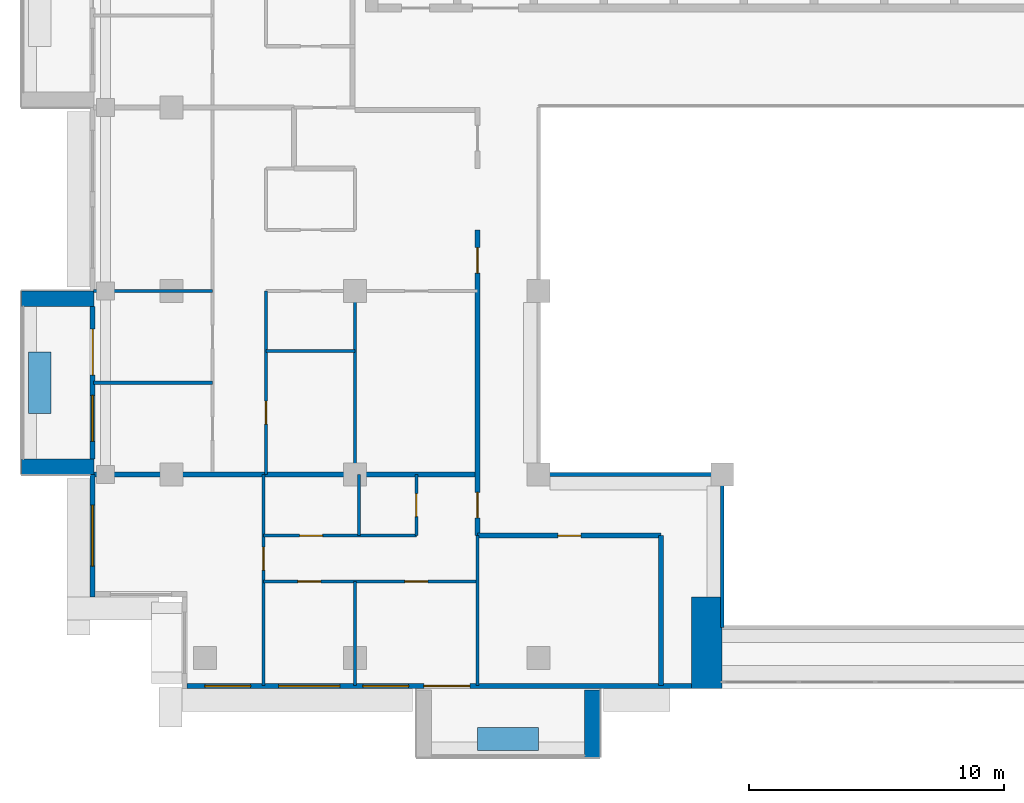
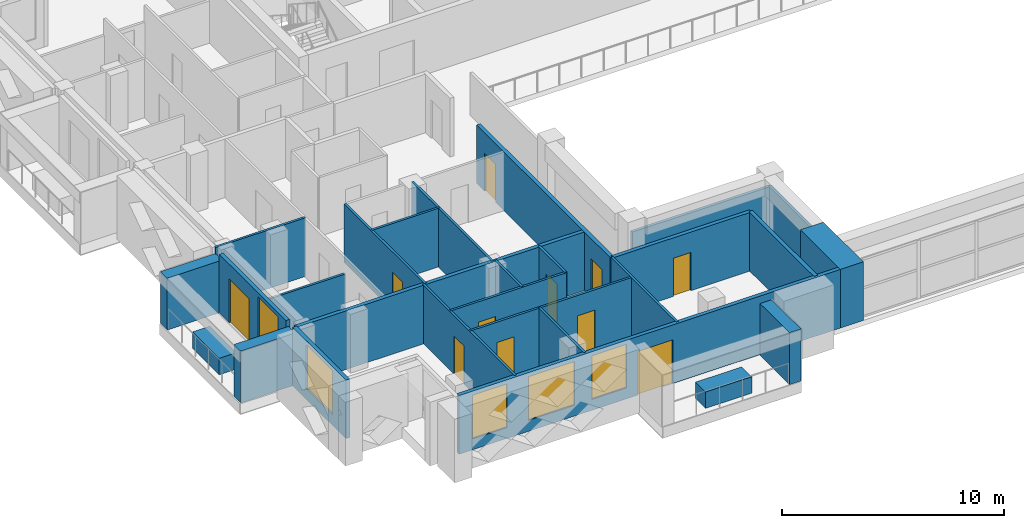
# One storey, part 6 of 19: 27 walls, 11 doors, 5 windows, 16 openings.
"""IFC4 building model written with IfcOpenShell, lengths in metres."""

from ifc_helpers import new_model, si_unit, direction, frame, frame_2d, origin, place, context, subcontext, project, spatial, rectangle, extrude, material, layer, layer_set, type_object, element, fill, save


model = new_model("IFC4")

# Units and contexts
model_context = context("Model", 3, precision=1e-05, world=origin(), true_north=direction((0.0, 1.0)))
body_context = subcontext(model_context, "Body", "Model", "MODEL_VIEW")
ifc_project = project(units=[si_unit("LENGTHUNIT", "METRE"), si_unit("AREAUNIT", "SQUARE_METRE"), si_unit("VOLUMEUNIT", "CUBIC_METRE"), si_unit("PLANEANGLEUNIT", "RADIAN"), si_unit("MASSUNIT", "GRAM", prefix="KILO")], contexts=[model_context])

# Site, building, storey
site_placement = place(None, origin())
site = spatial("IfcSite", under=ifc_project, at=site_placement, CompositionType="ELEMENT")
building_placement = place(site_placement, origin())
building = spatial("IfcBuilding", under=site, at=building_placement, Name="Saffron Iwan Residences", CompositionType="ELEMENT")
storey_placement = place(building_placement, frame((0.0, 0.0, 225.5)))
storey = spatial("IfcBuildingStorey", under=building, at=storey_placement, Name="L60", CompositionType="ELEMENT", Elevation=225.5)

# Walls
ifc_material_1 = material(Name="Fire-rated glazing", Category="glass")
ifc_layer_1 = layer(ifc_material_1, 0.14990234375)
ifc_layer_set_1 = layer_set([ifc_layer_1], Name="Fire-rated glazing")
wall_type_1 = type_object("IfcWallType", Name="Atrium glazed screen 150", PredefinedType="SOLIDWALL", material=ifc_layer_set_1)
wall_1_placement = place(storey_placement, frame((36.0, 48.0, 0.0), z_axis=(0.0, 0.0, 1.0), x_axis=(1.0, 0.0, 0.0)))
element("IfcWall", 1, at=wall_1_placement, inside=storey, type_object=wall_type_1, Name="W-L60-SCREEN-h48-36", PredefinedType="SOLIDWALL", context=body_context, shape_type="SweptSolid", body=[
    extrude(rectangle(XDim=7.199951171875, YDim=0.14990234375, at=frame_2d((3.60009765625, 0.0))), origin(), (0.0, 0.0, 1.0), 2.320068359375),
])
wall_2_placement = place(storey_placement, frame((43.199951171875, 42.0, 0.0), z_axis=(0.0, 0.0, 1.0), x_axis=(0.0, 1.0, 0.0)))
element("IfcWall", 2, at=wall_2_placement, inside=storey, type_object=wall_type_1, Name="W-L60-SCREEN-v43.2-42", PredefinedType="SOLIDWALL", context=body_context, shape_type="SweptSolid", body=[
    extrude(rectangle(XDim=6.0, YDim=0.14990234375, at=frame_2d((3.0, 0.0))), origin(), (0.0, 0.0, 1.0), 2.320068359375),
])
ifc_material_2 = material(Name="Concrete C50/60 white painted", Category="concrete")
ifc_layer_2 = layer(ifc_material_2, 0.60009765625)
ifc_layer_set_2 = layer_set([ifc_layer_2], Name="Concrete C50/60 white painted")
wall_type_2 = type_object("IfcWallType", Name="BALCONY FIN 600", PredefinedType="SOLIDWALL", material=ifc_layer_set_2)
for number, where, z_axis, x_axis, name in (
    (3, (18.550048828125, 54.89990234375, 0.0), (0.0, 0.0, 1.0), (-1.0, 0.0, 0.0), "Balcony fin L60 F8-1a"),
    (4, (18.550048828125, 48.300048828125, 0.0), (0.0, 0.0, 1.0), (-1.0, 0.0, 0.0), "Balcony fin L60 F8-1b"),
):
    element("IfcWall", number, at=place(storey_placement, frame(where, z_axis=z_axis, x_axis=x_axis)), inside=storey, type_object=wall_type_2, Name=name, PredefinedType="SOLIDWALL", context=body_context, shape_type="SweptSolid", body=[
        extrude(rectangle(XDim=2.85009765625, YDim=0.60009765625, at=frame_2d((1.425048828125, 0.0))), origin(), (0.0, 0.0, 1.0), 2.85009765625),
    ])
wall_3_placement = place(storey_placement, frame((38.10009765625, 39.550048828125, 0.0), z_axis=(0.0, 0.0, 1.0), x_axis=(0.0, -1.0, 0.0)))
element("IfcWall", 5, at=wall_3_placement, inside=storey, type_object=wall_type_2, Name="Balcony fin L60 11-0b", PredefinedType="SOLIDWALL", context=body_context, shape_type="SweptSolid", body=[
    extrude(rectangle(XDim=2.650146484375, YDim=0.60009765625, at=frame_2d((1.3251953125, 0.0))), origin(), (0.0, 0.0, 1.0), 2.85009765625),
])
ifc_material_3 = material(Name="Concrete C35/45 white painted", Category="concrete")
ifc_layer_3 = layer(ifc_material_3, 0.14990234375)
ifc_layer_set_3 = layer_set([ifc_layer_3], Name="Concrete C35/45 white painted")
wall_type_3 = type_object("IfcWallType", Name="BALCONY PLANTER", PredefinedType="SOLIDWALL", material=ifc_layer_set_3)
wall_4_placement = place(storey_placement, frame((16.425048828125, 52.800048828125, 0.0), z_axis=(0.0, 0.0, 1.0), x_axis=(0.0, -1.0, 0.0)))
element("IfcWall", 6, at=wall_4_placement, inside=storey, type_object=wall_type_3, Name="PLANTER L60 F8-1", PredefinedType="SOLIDWALL", context=body_context, shape_type="SweptSolid", body=[
    extrude(rectangle(XDim=2.400146484375, YDim=0.89990234375, at=frame_2d((1.2001953125, 0.0))), origin(), (0.0, 0.0, 1.0), 0.89990234375),
])
wall_5_placement = place(storey_placement, frame((33.60009765625, 37.625, 0.0), z_axis=(0.0, 0.0, 1.0), x_axis=(1.0, 0.0, 0.0)))
element("IfcWall", 7, at=wall_5_placement, inside=storey, type_object=wall_type_3, Name="PLANTER L60 11-0", PredefinedType="SOLIDWALL", context=body_context, shape_type="SweptSolid", body=[
    extrude(rectangle(XDim=2.39990234375, YDim=0.89990234375, at=frame_2d((1.199951171875, 0.0))), origin(), (0.0, 0.0, 1.0), 0.89990234375),
])

# Wall, openings, door, window
ifc_material_4 = material(Name="Concrete C40/50", Category="concrete")
ifc_layer_4 = layer(ifc_material_4, 0.199951171875)
ifc_layer_set_4 = layer_set([ifc_layer_4], Name="Concrete C40/50")
wall_type_4 = type_object("IfcWallType", Name="EXTERNAL WALL 200", PredefinedType="SOLIDWALL", material=ifc_layer_set_4)
wall_6_placement = place(storey_placement, frame((18.5, 54.60009765625, 0.0), z_axis=(0.0, 0.0, 1.0), x_axis=(0.0, -1.0, 0.0)))
wall_6 = element("IfcWall", 8, at=wall_6_placement, inside=storey, type_object=wall_type_4, Name="External wall L60 F8.3", PredefinedType="SOLIDWALL", context=body_context, shape_type="SweptSolid", body=[
    extrude(rectangle(XDim=6.0, YDim=0.199951171875, at=frame_2d((3.0, 0.0))), origin(), (0.0, 0.0, 1.0), 3.219970703125),
])
opening_1_placement = place(wall_6_placement, frame((0.89990234375, 0.0, 0.0)))
opening_1 = element("IfcOpeningElement", 9, at=opening_1_placement, cuts=wall_6, Name="Opening BD1", PredefinedType="OPENING", context=body_context, shape_type="SweptSolid", body=[
    extrude(rectangle(XDim=1.800048828125, YDim=2.39990234375, at=frame_2d((0.89990234375, 1.199951171875))), frame((0.0, 0.10986328125, 0.0), z_axis=(0.0, -1.0, 0.0), x_axis=(1.0, 0.0, 0.0)), (0.0, 0.0, 1.0), 0.219970703125),
])
opening_2_placement = place(wall_6_placement, frame((3.5, 0.0, 0.60009765625)))
opening_2 = element("IfcOpeningElement", 10, at=opening_2_placement, cuts=wall_6, Name="Opening W8", PredefinedType="OPENING", context=body_context, shape_type="SweptSolid", body=[
    extrude(rectangle(XDim=1.800048828125, YDim=2.39990234375, at=frame_2d((0.89990234375, 1.199951171875))), frame((0.0, 0.10986328125, 0.0), z_axis=(0.0, -1.0, 0.0), x_axis=(1.0, 0.0, 0.0)), (0.0, 0.0, 1.0), 0.219970703125),
])
ifc_material_5 = material(Name="Clear glass, laminated double glazed", Category="glass")
door_type_1 = type_object("IfcDoorType", Name="BALCONY DOOR 1800 x 2400", OperationType="DOUBLE_DOOR_SLIDING", PredefinedType="DOOR", material=ifc_material_5)
door_1_placement = place(opening_1_placement, origin())
door_1 = element("IfcDoor", 11, at=door_1_placement, inside=storey, type_object=door_type_1, Name="Balcony door L60 F8.0", OperationType="DOUBLE_DOOR_SLIDING", OverallHeight=2.39990234375, OverallWidth=1.800048828125, PredefinedType="DOOR", context=body_context, shape_type="SweptSolid", body=[
    extrude(rectangle(XDim=1.800048828125, YDim=2.39990234375, at=frame_2d((0.89990234375, 1.199951171875))), frame((0.0, 0.02490234375, 0.0), z_axis=(0.0, -1.0, 0.0), x_axis=(1.0, 0.0, 0.0)), (0.0, 0.0, 1.0), 0.050048828125),
])
fill(opening_1, door_1)
window_type_1 = type_object("IfcWindowType", Name="WINDOW 1800 x 2400", PartitioningType="DOUBLE_PANEL_VERTICAL", PredefinedType="WINDOW", material=ifc_material_5)
window_1_placement = place(opening_2_placement, origin())
window_1 = element("IfcWindow", 12, at=window_1_placement, inside=storey, type_object=window_type_1, Name="Window L60 F8.1", OverallHeight=2.39990234375, OverallWidth=1.800048828125, PartitioningType="DOUBLE_PANEL_VERTICAL", PredefinedType="WINDOW", context=body_context, shape_type="SweptSolid", body=[
    extrude(rectangle(XDim=1.800048828125, YDim=2.39990234375, at=frame_2d((0.89990234375, 1.199951171875))), frame((0.0, 0.030029296875, 0.0), z_axis=(0.0, -1.0, 0.0), x_axis=(1.0, 0.0, 0.0)), (0.0, 0.0, 1.0), 0.06005859375),
])
fill(opening_2, window_1)

# Wall, opening, window
wall_7_placement = place(storey_placement, frame((18.5, 48.0, 0.0), z_axis=(0.0, 0.0, 1.0), x_axis=(0.0, -1.0, 0.0)))
wall_7 = element("IfcWall", 13, at=wall_7_placement, inside=storey, type_object=wall_type_4, Name="External wall L60 F8.4", PredefinedType="SOLIDWALL", context=body_context, shape_type="SweptSolid", body=[
    extrude(rectangle(XDim=4.800048828125, YDim=0.199951171875, at=frame_2d((2.39990234375, 0.0))), origin(), (0.0, 0.0, 1.0), 3.219970703125),
])
opening_3_placement = place(wall_7_placement, frame((1.199951171875, 0.0, 0.60009765625)))
opening_3 = element("IfcOpeningElement", 14, at=opening_3_placement, cuts=wall_7, Name="Opening W1", PredefinedType="OPENING", context=body_context, shape_type="SweptSolid", body=[
    extrude(rectangle(XDim=2.39990234375, YDim=2.39990234375, at=frame_2d((1.199951171875, 1.199951171875))), frame((0.0, 0.10986328125, 0.0), z_axis=(0.0, -1.0, 0.0), x_axis=(1.0, 0.0, 0.0)), (0.0, 0.0, 1.0), 0.219970703125),
])
window_type_2 = type_object("IfcWindowType", Name="WINDOW 2400 x 2400", PartitioningType="DOUBLE_PANEL_VERTICAL", PredefinedType="WINDOW", material=ifc_material_5)
window_2_placement = place(opening_3_placement, origin())
window_2 = element("IfcWindow", 15, at=window_2_placement, inside=storey, type_object=window_type_2, Name="Window L60 F8.0", OverallHeight=2.39990234375, OverallWidth=2.39990234375, PartitioningType="DOUBLE_PANEL_VERTICAL", PredefinedType="WINDOW", context=body_context, shape_type="SweptSolid", body=[
    extrude(rectangle(XDim=2.39990234375, YDim=2.39990234375, at=frame_2d((1.199951171875, 1.199951171875))), frame((0.0, 0.030029296875, 0.0), z_axis=(0.0, -1.0, 0.0), x_axis=(1.0, 0.0, 0.0)), (0.0, 0.0, 1.0), 0.06005859375),
])
fill(opening_3, window_2)

# Wall, openings, door, windows
wall_8_placement = place(storey_placement, frame((22.199951171875, 39.699951171875, 0.0), z_axis=(0.0, 0.0, 1.0), x_axis=(1.0, 0.0, 0.0)))
wall_8 = element("IfcWall", 16, at=wall_8_placement, inside=storey, type_object=wall_type_4, Name="External wall L60 F11.0", PredefinedType="SOLIDWALL", context=body_context, shape_type="SweptSolid", body=[
    extrude(rectangle(XDim=19.800048828125, YDim=0.199951171875, at=frame_2d((9.89990234375, 0.0))), origin(), (0.0, 0.0, 1.0), 3.219970703125),
])
opening_4_placement = place(wall_8_placement, frame((9.300048828125, 0.0, 0.0)))
opening_4 = element("IfcOpeningElement", 17, at=opening_4_placement, cuts=wall_8, Name="Opening BD1", PredefinedType="OPENING", context=body_context, shape_type="SweptSolid", body=[
    extrude(rectangle(XDim=1.800048828125, YDim=2.39990234375, at=frame_2d((0.89990234375, 1.199951171875))), frame((0.0, 0.10986328125, 0.0), z_axis=(0.0, -1.0, 0.0), x_axis=(1.0, 0.0, 0.0)), (0.0, 0.0, 1.0), 0.219970703125),
])
opening_5_placement = place(wall_8_placement, frame((0.699951171875, 0.0, 0.60009765625)))
opening_5 = element("IfcOpeningElement", 18, at=opening_5_placement, cuts=wall_8, Name="Opening W8", PredefinedType="OPENING", context=body_context, shape_type="SweptSolid", body=[
    extrude(rectangle(XDim=1.800048828125, YDim=2.39990234375, at=frame_2d((0.89990234375, 1.199951171875))), frame((0.0, 0.10986328125, 0.0), z_axis=(0.0, -1.0, 0.0), x_axis=(1.0, 0.0, 0.0)), (0.0, 0.0, 1.0), 0.219970703125),
])
opening_6_placement = place(wall_8_placement, frame((3.60009765625, 0.0, 0.60009765625)))
opening_6 = element("IfcOpeningElement", 19, at=opening_6_placement, cuts=wall_8, Name="Opening W1", PredefinedType="OPENING", context=body_context, shape_type="SweptSolid", body=[
    extrude(rectangle(XDim=2.39990234375, YDim=2.39990234375, at=frame_2d((1.199951171875, 1.199951171875))), frame((0.0, 0.10986328125, 0.0), z_axis=(0.0, -1.0, 0.0), x_axis=(1.0, 0.0, 0.0)), (0.0, 0.0, 1.0), 0.219970703125),
])
opening_7_placement = place(wall_8_placement, frame((6.89990234375, 0.0, 0.60009765625)))
opening_7 = element("IfcOpeningElement", 20, at=opening_7_placement, cuts=wall_8, Name="Opening W8", PredefinedType="OPENING", context=body_context, shape_type="SweptSolid", body=[
    extrude(rectangle(XDim=1.800048828125, YDim=2.39990234375, at=frame_2d((0.89990234375, 1.199951171875))), frame((0.0, 0.10986328125, 0.0), z_axis=(0.0, -1.0, 0.0), x_axis=(1.0, 0.0, 0.0)), (0.0, 0.0, 1.0), 0.219970703125),
])
door_2_placement = place(opening_4_placement, origin())
door_2 = element("IfcDoor", 21, at=door_2_placement, inside=storey, type_object=door_type_1, Name="Balcony door L60 F11.0", OperationType="DOUBLE_DOOR_SLIDING", OverallHeight=2.39990234375, OverallWidth=1.800048828125, PredefinedType="DOOR", context=body_context, shape_type="SweptSolid", body=[
    extrude(rectangle(XDim=1.800048828125, YDim=2.39990234375, at=frame_2d((0.89990234375, 1.199951171875))), frame((0.0, 0.02490234375, 0.0), z_axis=(0.0, -1.0, 0.0), x_axis=(1.0, 0.0, 0.0)), (0.0, 0.0, 1.0), 0.050048828125),
])
fill(opening_4, door_2)
window_3_placement = place(opening_5_placement, origin())
window_3 = element("IfcWindow", 22, at=window_3_placement, inside=storey, type_object=window_type_1, Name="Window L60 F11.1", OverallHeight=2.39990234375, OverallWidth=1.800048828125, PartitioningType="DOUBLE_PANEL_VERTICAL", PredefinedType="WINDOW", context=body_context, shape_type="SweptSolid", body=[
    extrude(rectangle(XDim=1.800048828125, YDim=2.39990234375, at=frame_2d((0.89990234375, 1.199951171875))), frame((0.0, 0.030029296875, 0.0), z_axis=(0.0, -1.0, 0.0), x_axis=(1.0, 0.0, 0.0)), (0.0, 0.0, 1.0), 0.06005859375),
])
fill(opening_5, window_3)
window_4_placement = place(opening_7_placement, origin())
window_4 = element("IfcWindow", 23, at=window_4_placement, inside=storey, type_object=window_type_1, Name="Window L60 F11.3", OverallHeight=2.39990234375, OverallWidth=1.800048828125, PartitioningType="DOUBLE_PANEL_VERTICAL", PredefinedType="WINDOW", context=body_context, shape_type="SweptSolid", body=[
    extrude(rectangle(XDim=1.800048828125, YDim=2.39990234375, at=frame_2d((0.89990234375, 1.199951171875))), frame((0.0, 0.030029296875, 0.0), z_axis=(0.0, -1.0, 0.0), x_axis=(1.0, 0.0, 0.0)), (0.0, 0.0, 1.0), 0.06005859375),
])
fill(opening_7, window_4)
window_5_placement = place(opening_6_placement, origin())
window_5 = element("IfcWindow", 24, at=window_5_placement, inside=storey, type_object=window_type_2, Name="Window L60 F11.2", OverallHeight=2.39990234375, OverallWidth=2.39990234375, PartitioningType="DOUBLE_PANEL_VERTICAL", PredefinedType="WINDOW", context=body_context, shape_type="SweptSolid", body=[
    extrude(rectangle(XDim=2.39990234375, YDim=2.39990234375, at=frame_2d((1.199951171875, 1.199951171875))), frame((0.0, 0.030029296875, 0.0), z_axis=(0.0, -1.0, 0.0), x_axis=(1.0, 0.0, 0.0)), (0.0, 0.0, 1.0), 0.06005859375),
])
fill(opening_6, window_5)

# Wall
ifc_material_6 = material(Name="Fire-rated gypsum board wall")
ifc_layer_5 = layer(ifc_material_6, 0.199951171875)
ifc_layer_set_5 = layer_set([ifc_layer_5], Name="Fire-rated gypsum board wall")
wall_type_5 = type_object("IfcWallType", Name="Flat demising wall 200", PredefinedType="SOLIDWALL", material=ifc_layer_set_5)
wall_9_placement = place(storey_placement, frame((18.52490234375, 48.0, 0.0), z_axis=(0.0, 0.0, 1.0), x_axis=(1.0, 0.0, 0.0)))
element("IfcWall", 25, at=wall_9_placement, inside=storey, type_object=wall_type_5, Name="W-L60-DEMISE-h48-18.525", PredefinedType="SOLIDWALL", context=body_context, shape_type="SweptSolid", body=[
    extrude(rectangle(XDim=15.0751953125, YDim=0.199951171875, at=frame_2d((7.53759765625, 0.0))), origin(), (0.0, 0.0, 1.0), 3.219970703125),
])

# Wall, openings, doors
ifc_material_7 = material(Name="Gypsum board partition")
ifc_layer_6 = layer(ifc_material_7, 0.1201171875)
ifc_layer_set_6 = layer_set([ifc_layer_6], Name="Gypsum board partition")
wall_type_6 = type_object("IfcWallType", Name="Flat partition 120", PredefinedType="PARTITIONING", material=ifc_layer_set_6)
wall_10_placement = place(storey_placement, frame((25.199951171875, 43.800048828125, 0.0), z_axis=(0.0, 0.0, 1.0), x_axis=(1.0, 0.0, 0.0)))
wall_10 = element("IfcWall", 26, at=wall_10_placement, inside=storey, type_object=wall_type_6, Name="W-L60-PART-h43.8-25.2", PredefinedType="PARTITIONING", context=body_context, shape_type="SweptSolid", body=[
    extrude(rectangle(XDim=8.400146484375, YDim=0.1201171875, at=frame_2d((4.2001953125, 0.0))), origin(), (0.0, 0.0, 1.0), 3.219970703125),
])
opening_8_placement = place(wall_10_placement, frame((1.35009765625, 0.0, 0.0)))
opening_8 = element("IfcOpeningElement", 27, at=opening_8_placement, cuts=wall_10, Name="Opening FD2", PredefinedType="OPENING", context=body_context, shape_type="SweptSolid", body=[
    extrude(rectangle(XDim=0.89990234375, YDim=2.10009765625, at=frame_2d((0.449951171875, 1.050048828125))), frame((0.0, 0.070068359375, 0.0), z_axis=(0.0, -1.0, 0.0), x_axis=(1.0, 0.0, 0.0)), (0.0, 0.0, 1.0), 0.14013671875),
])
opening_9_placement = place(wall_10_placement, frame((5.550048828125, 0.0, 0.0)))
opening_9 = element("IfcOpeningElement", 28, at=opening_9_placement, cuts=wall_10, Name="Opening FD2", PredefinedType="OPENING", context=body_context, shape_type="SweptSolid", body=[
    extrude(rectangle(XDim=0.89990234375, YDim=2.10009765625, at=frame_2d((0.449951171875, 1.050048828125))), frame((0.0, 0.070068359375, 0.0), z_axis=(0.0, -1.0, 0.0), x_axis=(1.0, 0.0, 0.0)), (0.0, 0.0, 1.0), 0.14013671875),
])
ifc_material_8 = material(Name="Timber door", Category="wood")
door_type_2 = type_object("IfcDoorType", Name="Flat door 900", OperationType="NOTDEFINED", PredefinedType="DOOR", material=ifc_material_8)
door_3_placement = place(opening_8_placement, origin())
door_3 = element("IfcDoor", 29, at=door_3_placement, inside=storey, type_object=door_type_2, Name="Door L60-003", OperationType="SINGLE_SWING_LEFT", OverallHeight=2.10009765625, OverallWidth=0.89990234375, PredefinedType="DOOR", context=body_context, shape_type="SweptSolid", body=[
    extrude(rectangle(XDim=0.89990234375, YDim=2.10009765625, at=frame_2d((0.449951171875, 1.050048828125))), frame((0.0, 0.02490234375, 0.0), z_axis=(0.0, -1.0, 0.0), x_axis=(1.0, 0.0, 0.0)), (0.0, 0.0, 1.0), 0.050048828125),
])
fill(opening_8, door_3)
door_4_placement = place(opening_9_placement, origin())
door_4 = element("IfcDoor", 30, at=door_4_placement, inside=storey, type_object=door_type_2, Name="Door L60-004", OperationType="SINGLE_SWING_RIGHT", OverallHeight=2.10009765625, OverallWidth=0.89990234375, PredefinedType="DOOR", context=body_context, shape_type="SweptSolid", body=[
    extrude(rectangle(XDim=0.89990234375, YDim=2.10009765625, at=frame_2d((0.449951171875, 1.050048828125))), frame((0.0, 0.02490234375, 0.0), z_axis=(0.0, -1.0, 0.0), x_axis=(1.0, 0.0, 0.0)), (0.0, 0.0, 1.0), 0.050048828125),
])
fill(opening_9, door_4)

# Wall, opening, door
wall_11_placement = place(storey_placement, frame((25.199951171875, 45.60009765625, 0.0), z_axis=(0.0, 0.0, 1.0), x_axis=(1.0, 0.0, 0.0)))
wall_11 = element("IfcWall", 31, at=wall_11_placement, inside=storey, type_object=wall_type_6, Name="W-L60-PART-h45.6-25.2", PredefinedType="PARTITIONING", context=body_context, shape_type="SweptSolid", body=[
    extrude(rectangle(XDim=6.0, YDim=0.1201171875, at=frame_2d((3.0, 0.0))), origin(), (0.0, 0.0, 1.0), 3.219970703125),
])
opening_10_placement = place(wall_11_placement, frame((1.425048828125, 0.0, 0.0)))
opening_10 = element("IfcOpeningElement", 32, at=opening_10_placement, cuts=wall_11, Name="Opening FD2", PredefinedType="OPENING", context=body_context, shape_type="SweptSolid", body=[
    extrude(rectangle(XDim=0.89990234375, YDim=2.10009765625, at=frame_2d((0.449951171875, 1.050048828125))), frame((0.0, 0.070068359375, 0.0), z_axis=(0.0, -1.0, 0.0), x_axis=(1.0, 0.0, 0.0)), (0.0, 0.0, 1.0), 0.14013671875),
])
door_5_placement = place(opening_10_placement, origin())
door_5 = element("IfcDoor", 33, at=door_5_placement, inside=storey, type_object=door_type_2, Name="Door L60-005", OperationType="SINGLE_SWING_LEFT", OverallHeight=2.10009765625, OverallWidth=0.89990234375, PredefinedType="DOOR", context=body_context, shape_type="SweptSolid", body=[
    extrude(rectangle(XDim=0.89990234375, YDim=2.10009765625, at=frame_2d((0.449951171875, 1.050048828125))), frame((0.0, 0.02490234375, 0.0), z_axis=(0.0, -1.0, 0.0), x_axis=(1.0, 0.0, 0.0)), (0.0, 0.0, 1.0), 0.050048828125),
])
fill(opening_10, door_5)

# Walls
wall_12_placement = place(storey_placement, frame((18.52490234375, 51.60009765625, 0.0), z_axis=(0.0, 0.0, 1.0), x_axis=(1.0, 0.0, 0.0)))
element("IfcWall", 34, at=wall_12_placement, inside=storey, type_object=wall_type_6, Name="W-L60-PART-h51.6-18.525", PredefinedType="PARTITIONING", context=body_context, shape_type="SweptSolid", body=[
    extrude(rectangle(XDim=4.675048828125, YDim=0.1201171875, at=frame_2d((2.33740234375, 0.0))), origin(), (0.0, 0.0, 1.0), 2.320068359375),
])
wall_13_placement = place(storey_placement, frame((25.300048828125, 52.85009765625, 0.0), z_axis=(0.0, 0.0, 1.0), x_axis=(1.0, 0.0, 0.0)))
element("IfcWall", 35, at=wall_13_placement, inside=storey, type_object=wall_type_6, Name="W-L60-PART-h52.85-25.3", PredefinedType="PARTITIONING", context=body_context, shape_type="SweptSolid", body=[
    extrude(rectangle(XDim=3.5, YDim=0.1201171875, at=frame_2d((1.75, 0.0))), origin(), (0.0, 0.0, 1.0), 3.219970703125),
])
wall_14_placement = place(storey_placement, frame((18.52490234375, 55.199951171875, 0.0), z_axis=(0.0, 0.0, 1.0), x_axis=(1.0, 0.0, 0.0)))
element("IfcWall", 36, at=wall_14_placement, inside=storey, type_object=wall_type_6, Name="W-L60-PART-h55.2-18.525", PredefinedType="PARTITIONING", context=body_context, shape_type="SweptSolid", body=[
    extrude(rectangle(XDim=4.675048828125, YDim=0.1201171875, at=frame_2d((2.33740234375, 0.0))), origin(), (0.0, 0.0, 1.0), 3.219970703125),
])

# Wall, opening, door
wall_15_placement = place(storey_placement, frame((25.199951171875, 39.72509765625, 0.0), z_axis=(0.0, 0.0, 1.0), x_axis=(0.0, 1.0, 0.0)))
wall_15 = element("IfcWall", 37, at=wall_15_placement, inside=storey, type_object=wall_type_6, Name="W-L60-PART-v25.2-39.725", PredefinedType="PARTITIONING", context=body_context, shape_type="SweptSolid", body=[
    extrude(rectangle(XDim=8.27490234375, YDim=0.1201171875, at=frame_2d((4.137451171875, 0.0))), origin(), (0.0, 0.0, 1.0), 3.219970703125),
])
opening_11_placement = place(wall_15_placement, frame((4.52490234375, 0.0, 0.0)))
opening_11 = element("IfcOpeningElement", 38, at=opening_11_placement, cuts=wall_15, Name="Opening FD2", PredefinedType="OPENING", context=body_context, shape_type="SweptSolid", body=[
    extrude(rectangle(XDim=0.89990234375, YDim=2.10009765625, at=frame_2d((0.449951171875, 1.050048828125))), frame((0.0, 0.070068359375, 0.0), z_axis=(0.0, -1.0, 0.0), x_axis=(1.0, 0.0, 0.0)), (0.0, 0.0, 1.0), 0.14013671875),
])
door_6_placement = place(opening_11_placement, origin())
door_6 = element("IfcDoor", 39, at=door_6_placement, inside=storey, type_object=door_type_2, Name="Door L60-002", OperationType="SINGLE_SWING_LEFT", OverallHeight=2.10009765625, OverallWidth=0.89990234375, PredefinedType="DOOR", context=body_context, shape_type="SweptSolid", body=[
    extrude(rectangle(XDim=0.89990234375, YDim=2.10009765625, at=frame_2d((0.449951171875, 1.050048828125))), frame((0.0, 0.02490234375, 0.0), z_axis=(0.0, -1.0, 0.0), x_axis=(1.0, 0.0, 0.0)), (0.0, 0.0, 1.0), 0.050048828125),
])
fill(opening_11, door_6)

wall_16_placement = place(storey_placement, frame((25.300048828125, 48.0, 0.0), z_axis=(0.0, 0.0, 1.0), x_axis=(0.0, 1.0, 0.0)))
wall_16 = element("IfcWall", 40, at=wall_16_placement, inside=storey, type_object=wall_type_6, Name="W-L60-PART-v25.3-48", PredefinedType="PARTITIONING", context=body_context, shape_type="SweptSolid", body=[
    extrude(rectangle(XDim=7.199951171875, YDim=0.1201171875, at=frame_2d((3.60009765625, 0.0))), origin(), (0.0, 0.0, 1.0), 3.219970703125),
])
opening_12_placement = place(wall_16_placement, frame((1.97509765625, 0.0, 0.0)))
opening_12 = element("IfcOpeningElement", 41, at=opening_12_placement, cuts=wall_16, Name="Opening FD2", PredefinedType="OPENING", context=body_context, shape_type="SweptSolid", body=[
    extrude(rectangle(XDim=0.89990234375, YDim=2.10009765625, at=frame_2d((0.449951171875, 1.050048828125))), frame((0.0, 0.070068359375, 0.0), z_axis=(0.0, -1.0, 0.0), x_axis=(1.0, 0.0, 0.0)), (0.0, 0.0, 1.0), 0.14013671875),
])
door_7_placement = place(opening_12_placement, origin())
door_7 = element("IfcDoor", 42, at=door_7_placement, inside=storey, type_object=door_type_2, Name="Door L60-012", OperationType="SINGLE_SWING_LEFT", OverallHeight=2.10009765625, OverallWidth=0.89990234375, PredefinedType="DOOR", context=body_context, shape_type="SweptSolid", body=[
    extrude(rectangle(XDim=0.89990234375, YDim=2.10009765625, at=frame_2d((0.449951171875, 1.050048828125))), frame((0.0, 0.02490234375, 0.0), z_axis=(0.0, -1.0, 0.0), x_axis=(1.0, 0.0, 0.0)), (0.0, 0.0, 1.0), 0.050048828125),
])
fill(opening_12, door_7)

# Walls
wall_17_placement = place(storey_placement, frame((28.800048828125, 39.72509765625, 0.0), z_axis=(0.0, 0.0, 1.0), x_axis=(0.0, 1.0, 0.0)))
element("IfcWall", 43, at=wall_17_placement, inside=storey, type_object=wall_type_6, Name="W-L60-PART-v28.8-39.725", PredefinedType="PARTITIONING", context=body_context, shape_type="SweptSolid", body=[
    extrude(rectangle(XDim=4.074951171875, YDim=0.1201171875, at=frame_2d((2.03759765625, 0.0))), origin(), (0.0, 0.0, 1.0), 3.219970703125),
])
wall_18_placement = place(storey_placement, frame((28.800048828125, 48.0, 0.0), z_axis=(0.0, 0.0, 1.0), x_axis=(0.0, 1.0, 0.0)))
element("IfcWall", 44, at=wall_18_placement, inside=storey, type_object=wall_type_6, Name="W-L60-PART-v28.8-48", PredefinedType="PARTITIONING", context=body_context, shape_type="SweptSolid", body=[
    extrude(rectangle(XDim=7.199951171875, YDim=0.1201171875, at=frame_2d((3.60009765625, 0.0))), origin(), (0.0, 0.0, 1.0), 3.219970703125),
])
wall_19_placement = place(storey_placement, frame((28.949951171875, 45.60009765625, 0.0), z_axis=(0.0, 0.0, 1.0), x_axis=(0.0, 1.0, 0.0)))
element("IfcWall", 45, at=wall_19_placement, inside=storey, type_object=wall_type_6, Name="W-L60-PART-v28.95-45.6", PredefinedType="PARTITIONING", context=body_context, shape_type="SweptSolid", body=[
    extrude(rectangle(XDim=2.39990234375, YDim=0.1201171875, at=frame_2d((1.199951171875, 0.0))), origin(), (0.0, 0.0, 1.0), 3.219970703125),
])

# Wall, opening, door
wall_20_placement = place(storey_placement, frame((31.199951171875, 45.60009765625, 0.0), z_axis=(0.0, 0.0, 1.0), x_axis=(0.0, 1.0, 0.0)))
wall_20 = element("IfcWall", 46, at=wall_20_placement, inside=storey, type_object=wall_type_6, Name="W-L60-PART-v31.2-45.6", PredefinedType="PARTITIONING", context=body_context, shape_type="SweptSolid", body=[
    extrude(rectangle(XDim=2.39990234375, YDim=0.1201171875, at=frame_2d((1.199951171875, 0.0))), origin(), (0.0, 0.0, 1.0), 3.219970703125),
])
opening_13_placement = place(wall_20_placement, frame((0.75, 0.0, 0.0)))
opening_13 = element("IfcOpeningElement", 47, at=opening_13_placement, cuts=wall_20, Name="Opening FD2", PredefinedType="OPENING", context=body_context, shape_type="SweptSolid", body=[
    extrude(rectangle(XDim=0.89990234375, YDim=2.10009765625, at=frame_2d((0.449951171875, 1.050048828125))), frame((0.0, 0.070068359375, 0.0), z_axis=(0.0, -1.0, 0.0), x_axis=(1.0, 0.0, 0.0)), (0.0, 0.0, 1.0), 0.14013671875),
])
door_8_placement = place(opening_13_placement, origin())
door_8 = element("IfcDoor", 48, at=door_8_placement, inside=storey, type_object=door_type_2, Name="Door L60-006", OperationType="SINGLE_SWING_LEFT", OverallHeight=2.10009765625, OverallWidth=0.89990234375, PredefinedType="DOOR", context=body_context, shape_type="SweptSolid", body=[
    extrude(rectangle(XDim=0.89990234375, YDim=2.10009765625, at=frame_2d((0.449951171875, 1.050048828125))), frame((0.0, 0.02490234375, 0.0), z_axis=(0.0, -1.0, 0.0), x_axis=(1.0, 0.0, 0.0)), (0.0, 0.0, 1.0), 0.050048828125),
])
fill(opening_13, door_8)

# Wall
wall_21_placement = place(storey_placement, frame((33.60009765625, 39.72509765625, 0.0), z_axis=(0.0, 0.0, 1.0), x_axis=(0.0, 1.0, 0.0)))
element("IfcWall", 49, at=wall_21_placement, inside=storey, type_object=wall_type_6, Name="W-L60-PART-v33.6-39.725", PredefinedType="PARTITIONING", context=body_context, shape_type="SweptSolid", body=[
    extrude(rectangle(XDim=5.875, YDim=0.1201171875, at=frame_2d((2.9375, 0.0))), origin(), (0.0, 0.0, 1.0), 3.219970703125),
])

# Wall, opening, door
ifc_layer_7 = layer(ifc_material_6, 0.199951171875)
ifc_layer_set_7 = layer_set([ifc_layer_7], Name="Fire-rated gypsum board wall")
wall_type_7 = type_object("IfcWallType", Name="Gallery wall 200", PredefinedType="SOLIDWALL", material=ifc_layer_set_7)
wall_22_placement = place(storey_placement, frame((33.60009765625, 45.60009765625, 0.0), z_axis=(0.0, 0.0, 1.0), x_axis=(1.0, 0.0, 0.0)))
wall_22 = element("IfcWall", 50, at=wall_22_placement, inside=storey, type_object=wall_type_7, Name="W-L60-CORR-h45.6-33.6", PredefinedType="SOLIDWALL", context=body_context, shape_type="SweptSolid", body=[
    extrude(rectangle(XDim=7.199951171875, YDim=0.199951171875, at=frame_2d((3.60009765625, 0.0))), origin(), (0.0, 0.0, 1.0), 3.219970703125),
])
opening_14_placement = place(wall_22_placement, frame((3.14990234375, 0.0, 0.0)))
opening_14 = element("IfcOpeningElement", 51, at=opening_14_placement, cuts=wall_22, Name="Opening FD2", PredefinedType="OPENING", context=body_context, shape_type="SweptSolid", body=[
    extrude(rectangle(XDim=0.89990234375, YDim=2.10009765625, at=frame_2d((0.449951171875, 1.050048828125))), frame((0.0, 0.10986328125, 0.0), z_axis=(0.0, -1.0, 0.0), x_axis=(1.0, 0.0, 0.0)), (0.0, 0.0, 1.0), 0.219970703125),
])
door_9_placement = place(opening_14_placement, origin())
door_9 = element("IfcDoor", 52, at=door_9_placement, inside=storey, type_object=door_type_2, Name="Door L60-007", OperationType="SINGLE_SWING_RIGHT", OverallHeight=2.10009765625, OverallWidth=0.89990234375, PredefinedType="DOOR", context=body_context, shape_type="SweptSolid", body=[
    extrude(rectangle(XDim=0.89990234375, YDim=2.10009765625, at=frame_2d((0.449951171875, 1.050048828125))), frame((0.0, 0.02490234375, 0.0), z_axis=(0.0, -1.0, 0.0), x_axis=(1.0, 0.0, 0.0)), (0.0, 0.0, 1.0), 0.050048828125),
])
fill(opening_14, door_9)

# Wall, openings, doors
wall_23_placement = place(storey_placement, frame((33.60009765625, 45.60009765625, 0.0), z_axis=(0.0, 0.0, 1.0), x_axis=(0.0, 1.0, 0.0)))
wall_23 = element("IfcWall", 53, at=wall_23_placement, inside=storey, type_object=wall_type_7, Name="W-L60-CORR-v33.6-45.6", PredefinedType="SOLIDWALL", context=body_context, shape_type="SweptSolid", body=[
    extrude(rectangle(XDim=12.0, YDim=0.199951171875, at=frame_2d((6.0, 0.0))), origin(), (0.0, 0.0, 1.0), 3.219970703125),
])
opening_15_placement = place(wall_23_placement, frame((0.699951171875, 0.0, 0.0)))
opening_15 = element("IfcOpeningElement", 54, at=opening_15_placement, cuts=wall_23, Name="Opening FD1", PredefinedType="OPENING", context=body_context, shape_type="SweptSolid", body=[
    extrude(rectangle(XDim=1.0, YDim=2.10009765625, at=frame_2d((0.5, 1.050048828125))), frame((0.0, 0.10986328125, 0.0), z_axis=(0.0, -1.0, 0.0), x_axis=(1.0, 0.0, 0.0)), (0.0, 0.0, 1.0), 0.219970703125),
])
opening_16_placement = place(wall_23_placement, frame((10.300048828125, 0.0, 0.0)))
opening_16 = element("IfcOpeningElement", 55, at=opening_16_placement, cuts=wall_23, Name="Opening FD1", PredefinedType="OPENING", context=body_context, shape_type="SweptSolid", body=[
    extrude(rectangle(XDim=1.0, YDim=2.10009765625, at=frame_2d((0.5, 1.050048828125))), frame((0.0, 0.10986328125, 0.0), z_axis=(0.0, -1.0, 0.0), x_axis=(1.0, 0.0, 0.0)), (0.0, 0.0, 1.0), 0.219970703125),
])
ifc_material_9 = material(Name="Fire-rated timber door", Category="wood")
door_type_3 = type_object("IfcDoorType", Name="FD30S flat entrance door 1000", OperationType="NOTDEFINED", PredefinedType="DOOR", material=ifc_material_9)
door_10_placement = place(opening_15_placement, origin())
door_10 = element("IfcDoor", 56, at=door_10_placement, inside=storey, type_object=door_type_3, Name="Door L60-001", OperationType="SINGLE_SWING_RIGHT", OverallHeight=2.10009765625, OverallWidth=1.0, PredefinedType="DOOR", context=body_context, shape_type="SweptSolid", body=[
    extrude(rectangle(XDim=1.0, YDim=2.10009765625, at=frame_2d((0.5, 1.050048828125))), frame((0.0, 0.02490234375, 0.0), z_axis=(0.0, -1.0, 0.0), x_axis=(1.0, 0.0, 0.0)), (0.0, 0.0, 1.0), 0.050048828125),
])
fill(opening_15, door_10)
door_11_placement = place(opening_16_placement, origin())
door_11 = element("IfcDoor", 57, at=door_11_placement, inside=storey, type_object=door_type_3, Name="Door L60-008", OperationType="SINGLE_SWING_LEFT", OverallHeight=2.10009765625, OverallWidth=1.0, PredefinedType="DOOR", context=body_context, shape_type="SweptSolid", body=[
    extrude(rectangle(XDim=1.0, YDim=2.10009765625, at=frame_2d((0.5, 1.050048828125))), frame((0.0, 0.02490234375, 0.0), z_axis=(0.0, -1.0, 0.0), x_axis=(1.0, 0.0, 0.0)), (0.0, 0.0, 1.0), 0.050048828125),
])
fill(opening_16, door_11)

# Walls
wall_24_placement = place(storey_placement, frame((40.800048828125, 39.72509765625, 0.0), z_axis=(0.0, 0.0, 1.0), x_axis=(0.0, 1.0, 0.0)))
element("IfcWall", 58, at=wall_24_placement, inside=storey, type_object=wall_type_7, Name="W-L60-CORR-v40.8-39.725", PredefinedType="SOLIDWALL", context=body_context, shape_type="SweptSolid", body=[
    extrude(rectangle(XDim=5.875, YDim=0.199951171875, at=frame_2d((2.9375, 0.0))), origin(), (0.0, 0.0, 1.0), 3.219970703125),
])
ifc_layer_8 = layer(ifc_material_4, 1.199951171875)
ifc_layer_set_8 = layer_set([ifc_layer_8], Name="Concrete C40/50")
wall_type_8 = type_object("IfcWallType", Name="WALL IWAN PIER 1200 C40/50 3220 HIGH", PredefinedType="SHEAR", material=ifc_layer_set_8)
wall_25_placement = place(storey_placement, frame((42.60009765625, 39.60009765625, 0.0), z_axis=(0.0, 0.0, 1.0), x_axis=(0.0, 1.0, 0.0)))
element("IfcWall", 59, at=wall_25_placement, inside=storey, type_object=wall_type_8, Name="IWAN PIER", PredefinedType="SHEAR", context=body_context, shape_type="SweptSolid", body=[
    extrude(rectangle(XDim=3.599853515625, YDim=1.199951171875, at=frame_2d((1.7998046875, 0.0))), origin(), (0.0, 0.0, 1.0), 3.219970703125),
])

save(model, "model.ifc")
